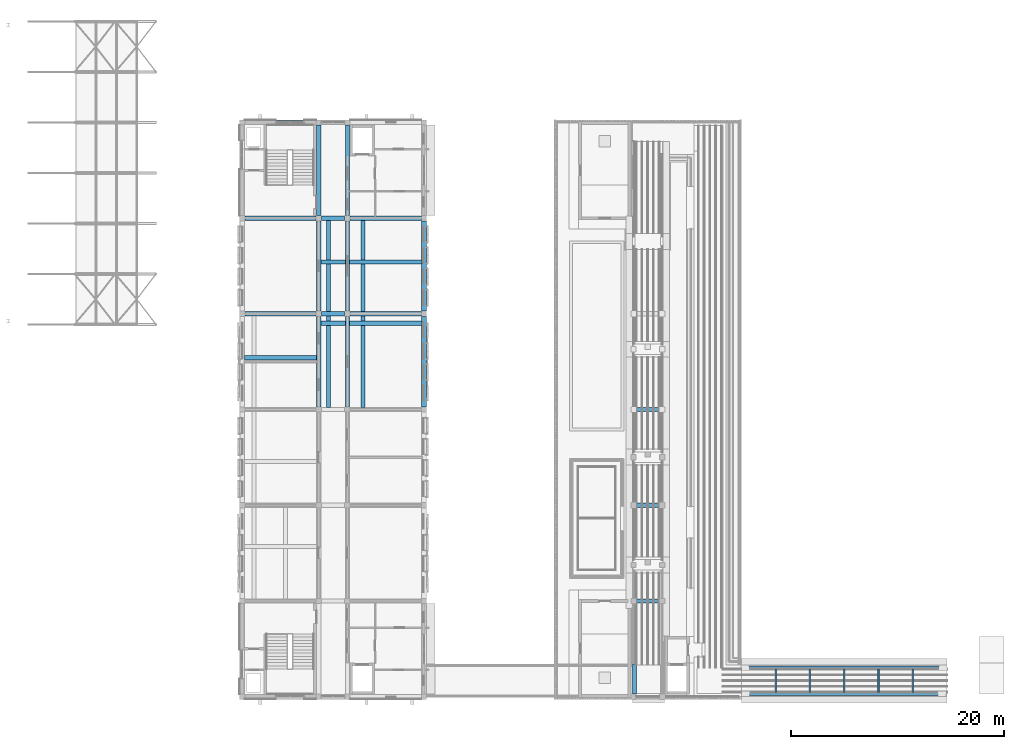
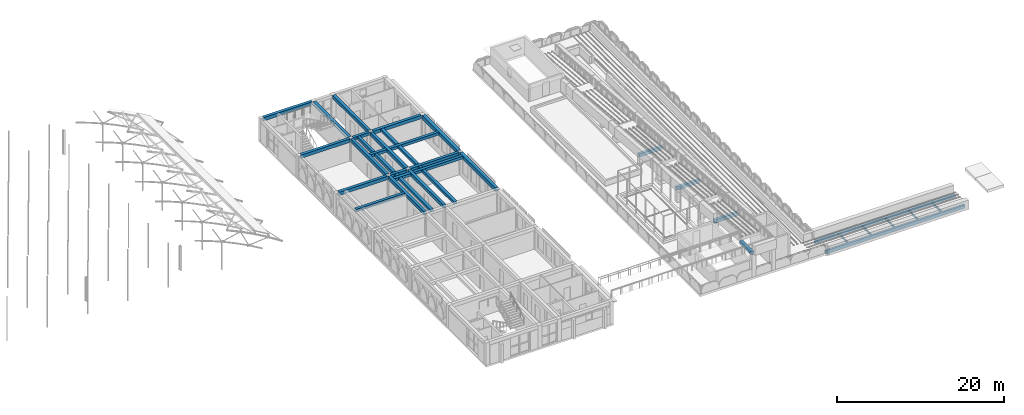
# One storey, part 20 of 50: 35 beams.
"""IFC4 building model written with IfcOpenShell, lengths in metres."""

from ifc_helpers import new_model, si_unit, direction, frame, origin, origin_2d, place, context, subcontext, project, spatial, polyline, rectangle, hollow_rectangle, outline, extrude, material, material_profile, profile_set, type_object, element, save


model = new_model("IFC4")

# Units and contexts
model_context = context("Model", 3, precision=1e-05, world=origin(), true_north=direction((0.0, 1.0)))
body_context = subcontext(model_context, "Body", "Model", "MODEL_VIEW")
ifc_project = project(units=[si_unit("LENGTHUNIT", "METRE"), si_unit("AREAUNIT", "SQUARE_METRE"), si_unit("VOLUMEUNIT", "CUBIC_METRE"), si_unit("PLANEANGLEUNIT", "RADIAN"), si_unit("MASSUNIT", "GRAM", prefix="KILO")], contexts=[model_context])

# Site, building, storey
site_placement = place(None, origin())
site = spatial("IfcSite", under=ifc_project, at=site_placement, CompositionType="ELEMENT")
building_placement = place(site_placement, origin())
building = spatial("IfcBuilding", under=site, at=building_placement, Name="Elbe Cascade School", CompositionType="ELEMENT")
storey_placement = place(building_placement, frame((0.0, 0.0, 15.300048828125)))
storey = spatial("IfcBuildingStorey", under=building, at=storey_placement, Name="L04", CompositionType="ELEMENT", Elevation=15.300048828125)

# Beams
ifc_material_1 = material(Name="Concrete C30/37", Category="concrete")
ifc_material_profile_1 = material_profile(ifc_material_1, rectangle(XDim=0.39990234375, YDim=0.39990234375, at=origin_2d()), Name="RC 400x400")
ifc_profile_set_1 = profile_set([ifc_material_profile_1], Name="Concrete C30/37")
beam_type_1 = type_object("IfcBeamType", Name="RC 400x400 beam", PredefinedType="BEAM", material=ifc_profile_set_1)
for number, where, z_axis, x_axis, name in (
    (1, (76.449951171875, 42.0, 3.099853515625), (1.0, 0.0, 0.0), (0.0, 1.0, 0.0), "RC 400x400 beam B5"),
    (2, (76.449951171875, 51.0, 3.099853515625), (1.0, 0.0, 0.0), (0.0, 1.0, 0.0), "RC 400x400 beam B5"),
):
    element("IfcBeam", number, at=place(storey_placement, frame(where, z_axis=z_axis, x_axis=x_axis)), inside=storey, type_object=beam_type_1, Name=name, PredefinedType="BEAM", context=body_context, shape_type="SweptSolid", body=[
        extrude(rectangle(XDim=0.39990234375, YDim=0.39990234375, at=origin_2d()), origin(), (0.0, 0.0, 1.0), 2.199951171875),
    ])
beam_1_placement = place(storey_placement, frame((69.199951171875, 37.875, 3.099853515625), z_axis=(1.0, 0.0, 0.0), x_axis=(0.0, 1.0, 0.0)))
element("IfcBeam", 3, at=beam_1_placement, inside=storey, type_object=beam_type_1, Name="RC 400x400 beam B5", PredefinedType="BEAM", context=body_context, shape_type="SweptSolid", body=[
    extrude(rectangle(XDim=0.39990234375, YDim=0.39990234375, at=origin_2d()), origin(), (0.0, 0.0, 1.0), 6.800048828125),
])
for number, where, z_axis, x_axis, name in (
    (4, (77.125, 33.199951171875, 3.099853515625), (0.0, 1.0, 0.0), (-1.0, 0.0, 0.0), "RC 400x400 beam B5"),
    (5, (77.125, 42.199951171875, 3.099853515625), (0.0, 1.0, 0.0), (-1.0, 0.0, 0.0), "RC 400x400 beam B5"),
    (6, (80.375, 33.199951171875, 3.099853515625), (0.0, 1.0, 0.0), (-1.0, 0.0, 0.0), "RC 400x400 beam B5"),
    (7, (80.375, 42.199951171875, 3.099853515625), (0.0, 1.0, 0.0), (-1.0, 0.0, 0.0), "RC 400x400 beam B5"),
):
    element("IfcBeam", number, at=place(storey_placement, frame(where, z_axis=z_axis, x_axis=x_axis)), inside=storey, type_object=beam_type_1, Name=name, PredefinedType="BEAM", context=body_context, shape_type="SweptSolid", body=[
        extrude(rectangle(XDim=0.39990234375, YDim=0.39990234375, at=origin_2d()), origin(), (0.0, 0.0, 1.0), 8.60009765625),
    ])
beam_2_placement = place(storey_placement, frame((76.39990234375, 41.125, 3.099853515625), z_axis=(1.0, 0.0, 0.0), x_axis=(0.0, 1.0, 0.0)))
element("IfcBeam", 8, at=beam_2_placement, inside=storey, type_object=beam_type_1, Name="RC 400x400 beam B5", PredefinedType="BEAM", context=body_context, shape_type="SweptSolid", body=[
    extrude(rectangle(XDim=0.39990234375, YDim=0.39990234375, at=origin_2d()), origin(), (0.0, 0.0, 1.0), 2.300048828125),
])
beam_3_placement = place(storey_placement, frame((79.10009765625, 41.125, 3.099853515625), z_axis=(1.0, 0.0, 0.0), x_axis=(0.0, 1.0, 0.0)))
element("IfcBeam", 9, at=beam_3_placement, inside=storey, type_object=beam_type_1, Name="RC 400x400 beam B5", PredefinedType="BEAM", context=body_context, shape_type="SweptSolid", body=[
    extrude(rectangle(XDim=0.39990234375, YDim=0.39990234375, at=origin_2d()), origin(), (0.0, 0.0, 1.0), 6.7998046875),
])
beam_4_placement = place(storey_placement, frame((76.39990234375, 46.875, 3.099853515625), z_axis=(1.0, 0.0, 0.0), x_axis=(0.0, 1.0, 0.0)))
element("IfcBeam", 10, at=beam_4_placement, inside=storey, type_object=beam_type_1, Name="RC 400x400 beam B5", PredefinedType="BEAM", context=body_context, shape_type="SweptSolid", body=[
    extrude(rectangle(XDim=0.39990234375, YDim=0.39990234375, at=origin_2d()), origin(), (0.0, 0.0, 1.0), 2.300048828125),
])
beam_5_placement = place(storey_placement, frame((79.10009765625, 46.875, 3.099853515625), z_axis=(1.0, 0.0, 0.0), x_axis=(0.0, 1.0, 0.0)))
element("IfcBeam", 11, at=beam_5_placement, inside=storey, type_object=beam_type_1, Name="RC 400x400 beam B5", PredefinedType="BEAM", context=body_context, shape_type="SweptSolid", body=[
    extrude(rectangle(XDim=0.39990234375, YDim=0.39990234375, at=origin_2d()), origin(), (0.0, 0.0, 1.0), 6.7998046875),
])
ifc_material_2 = material(Name="Concrete C30/37", Category="concrete")
ifc_material_profile_2 = material_profile(ifc_material_2, rectangle(XDim=0.39990234375, YDim=0.449951171875, at=origin_2d()), Name="RC 400x450")
ifc_profile_set_2 = profile_set([ifc_material_profile_2], Name="Concrete C30/37")
beam_type_2 = type_object("IfcBeamType", Name="RC 400x450 beam", PredefinedType="BEAM", material=ifc_profile_set_2)
beam_6_placement = place(storey_placement, frame((105.89990234375, 6.25, 3.135009765625), z_axis=(0.0, 1.0, 0.0), x_axis=(-1.0, 0.0, 0.0)))
element("IfcBeam", 12, at=beam_6_placement, inside=storey, type_object=beam_type_2, Name="RC 400x450 beam B2", PredefinedType="BEAM", context=body_context, shape_type="SweptSolid", body=[
    extrude(rectangle(XDim=0.39990234375, YDim=0.449951171875, at=origin_2d()), origin(), (0.0, 0.0, 1.0), 2.800048828125),
])
ifc_material_3 = material(Name="Concrete C30/37", Category="concrete")
ifc_material_profile_3 = material_profile(ifc_material_3, outline(polyline([(-0.199951171875, 0.0), (0.199951171875, 0.0), (0.199951171875, 0.433349609375), (-0.199951171875, 0.466552734375), (-0.199951171875, 0.0)])), Name="RC cross-beam 400x450 sloped top")
ifc_profile_set_3 = profile_set([ifc_material_profile_3], Name="Concrete C30/37")
beam_type_3 = type_object("IfcBeamType", Name="RC 400x450 sloped cross-beam", PredefinedType="BEAM", material=ifc_profile_set_3)
for number, where, z_axis, x_axis, name in (
    (13, (105.550048828125, 15.0, 2.409912109375), (1.0, 0.0, 0.0), (0.0, 1.0, 0.0), "RC 400x450 sloped cross-beam B25"),
    (14, (105.550048828125, 24.0, 1.784912109375), (1.0, 0.0, 0.0), (0.0, 1.0, 0.0), "RC 400x450 sloped cross-beam B25"),
    (15, (105.550048828125, 33.0, 1.159912109375), (1.0, 0.0, 0.0), (0.0, 1.0, 0.0), "RC 400x450 sloped cross-beam B25"),
):
    element("IfcBeam", number, at=place(storey_placement, frame(where, z_axis=z_axis, x_axis=x_axis)), inside=storey, type_object=beam_type_3, Name=name, PredefinedType="BEAM", context=body_context, shape_type="SweptSolid", body=[
        extrude(outline(polyline([(-0.199951171875, 0.0), (0.199951171875, 0.0), (0.199951171875, 0.433349609375), (-0.199951171875, 0.466552734375), (-0.199951171875, 0.0)])), origin(), (0.0, 0.0, 1.0), 3.199951171875),
    ])
ifc_material_4 = material(Name="Concrete C30/37", Category="concrete")
ifc_material_profile_4 = material_profile(ifc_material_4, rectangle(XDim=0.39990234375, YDim=0.5, at=origin_2d()), Name="RC 400x500")
ifc_profile_set_4 = profile_set([ifc_material_profile_4], Name="Concrete C30/37")
beam_type_4 = type_object("IfcBeamType", Name="RC 400x500 beam", PredefinedType="BEAM", material=ifc_profile_set_4)
for number, where, z_axis, x_axis, name in (
    (16, (76.199951171875, 33.25, 3.050048828125), (0.0, 1.0, 0.0), (-1.0, 0.0, 0.0), "RC 400x500 beam B1"),
    (17, (76.199951171875, 42.25, 3.050048828125), (0.0, 1.0, 0.0), (-1.0, 0.0, 0.0), "RC 400x500 beam B1"),
    (18, (76.199951171875, 51.25, 3.050048828125), (0.0, 1.0, 0.0), (-1.0, 0.0, 0.0), "RC 400x500 beam B1"),
    (19, (78.89990234375, 33.25, 3.050048828125), (0.0, 1.0, 0.0), (-1.0, 0.0, 0.0), "RC 400x500 beam B1"),
    (20, (78.89990234375, 42.25, 3.050048828125), (0.0, 1.0, 0.0), (-1.0, 0.0, 0.0), "RC 400x500 beam B1"),
    (21, (78.89990234375, 51.25, 3.050048828125), (0.0, 1.0, 0.0), (-1.0, 0.0, 0.0), "RC 400x500 beam B1"),
):
    element("IfcBeam", number, at=place(storey_placement, frame(where, z_axis=z_axis, x_axis=x_axis)), inside=storey, type_object=beam_type_4, Name=name, PredefinedType="BEAM", context=body_context, shape_type="SweptSolid", body=[
        extrude(rectangle(XDim=0.39990234375, YDim=0.5, at=origin_2d()), origin(), (0.0, 0.0, 1.0), 8.5),
    ])
beam_7_placement = place(storey_placement, frame((69.25, 42.0, 3.050048828125), z_axis=(1.0, 0.0, 0.0), x_axis=(0.0, 1.0, 0.0)))
element("IfcBeam", 22, at=beam_7_placement, inside=storey, type_object=beam_type_4, Name="RC 400x500 beam B1", PredefinedType="BEAM", context=body_context, shape_type="SweptSolid", body=[
    extrude(rectangle(XDim=0.39990234375, YDim=0.5, at=origin_2d()), origin(), (0.0, 0.0, 1.0), 6.699951171875),
])
beam_8_placement = place(storey_placement, frame((79.14990234375, 42.0, 3.050048828125), z_axis=(1.0, 0.0, 0.0), x_axis=(0.0, 1.0, 0.0)))
element("IfcBeam", 23, at=beam_8_placement, inside=storey, type_object=beam_type_4, Name="RC 400x500 beam B1", PredefinedType="BEAM", context=body_context, shape_type="SweptSolid", body=[
    extrude(rectangle(XDim=0.39990234375, YDim=0.5, at=origin_2d()), origin(), (0.0, 0.0, 1.0), 6.7001953125),
])
beam_9_placement = place(storey_placement, frame((69.25, 51.0, 3.050048828125), z_axis=(1.0, 0.0, 0.0), x_axis=(0.0, 1.0, 0.0)))
element("IfcBeam", 24, at=beam_9_placement, inside=storey, type_object=beam_type_4, Name="RC 400x500 beam B1", PredefinedType="BEAM", context=body_context, shape_type="SweptSolid", body=[
    extrude(rectangle(XDim=0.39990234375, YDim=0.5, at=origin_2d()), origin(), (0.0, 0.0, 1.0), 6.699951171875),
])
beam_10_placement = place(storey_placement, frame((79.14990234375, 51.0, 3.050048828125), z_axis=(1.0, 0.0, 0.0), x_axis=(0.0, 1.0, 0.0)))
element("IfcBeam", 25, at=beam_10_placement, inside=storey, type_object=beam_type_4, Name="RC 400x500 beam B1", PredefinedType="BEAM", context=body_context, shape_type="SweptSolid", body=[
    extrude(rectangle(XDim=0.39990234375, YDim=0.5, at=origin_2d()), origin(), (0.0, 0.0, 1.0), 6.7001953125),
])
beam_11_placement = place(storey_placement, frame((69.25, 60.0, 3.050048828125), z_axis=(1.0, 0.0, 0.0), x_axis=(0.0, 1.0, 0.0)))
element("IfcBeam", 26, at=beam_11_placement, inside=storey, type_object=beam_type_4, Name="RC 400x500 beam B1", PredefinedType="BEAM", context=body_context, shape_type="SweptSolid", body=[
    extrude(rectangle(XDim=0.39990234375, YDim=0.5, at=origin_2d()), origin(), (0.0, 0.0, 1.0), 6.699951171875),
])
ifc_material_5 = material(Name="Concrete C30/37", Category="concrete")
ifc_material_profile_5 = material_profile(ifc_material_5, rectangle(XDim=0.449951171875, YDim=0.550048828125, at=origin_2d()), Name="RC 450x550")
ifc_profile_set_5 = profile_set([ifc_material_profile_5], Name="Concrete C30/37")
beam_type_5 = type_object("IfcBeamType", Name="RC 450x550 beam", PredefinedType="BEAM", material=ifc_profile_set_5)
for number, where, z_axis, x_axis, name in (
    (27, (86.10009765625, 33.25, 3.02490234375), (0.0, 1.0, 0.0), (-1.0, 0.0, 0.0), "RC 450x550 beam B12"),
    (28, (86.10009765625, 42.25, 3.02490234375), (0.0, 1.0, 0.0), (-1.0, 0.0, 0.0), "RC 450x550 beam B12"),
):
    element("IfcBeam", number, at=place(storey_placement, frame(where, z_axis=z_axis, x_axis=x_axis)), inside=storey, type_object=beam_type_5, Name=name, PredefinedType="BEAM", context=body_context, shape_type="SweptSolid", body=[
        extrude(rectangle(XDim=0.449951171875, YDim=0.550048828125, at=origin_2d()), origin(), (0.0, 0.0, 1.0), 8.5),
    ])
ifc_material_6 = material(Name="Steel S355J2H", Category="steel")
ifc_material_profile_6 = material_profile(ifc_material_6, hollow_rectangle(XDim=0.14990234375, YDim=0.25, WallThickness=0.008056640625, InnerFilletRadius=0.008056640625, OuterFilletRadius=0.011962890625, at=origin_2d()), Name="RHS 250x150x8")
ifc_profile_set_6 = profile_set([ifc_material_profile_6], Name="Steel S355J2H")
beam_type_6 = type_object("IfcBeamType", Name="RHS 250x150x8 cross-beam", PredefinedType="BEAM", material=ifc_profile_set_6)
for number, where, z_axis, x_axis, name in (
    (29, (119.175048828125, 6.39990234375, -0.0849609375), (0.0, 1.0, 0.0), (-1.0, 0.0, 0.0), "Bridge B-C cross-beam 1"),
    (30, (122.39990234375, 6.39990234375, -0.0849609375), (0.0, 1.0, 0.0), (-1.0, 0.0, 0.0), "Bridge B-C cross-beam 2"),
    (31, (125.625, 6.39990234375, -0.0849609375), (0.0, 1.0, 0.0), (-1.0, 0.0, 0.0), "Bridge B-C cross-beam 3"),
    (32, (128.85009765625, 6.39990234375, -0.0849609375), (0.0, 1.0, 0.0), (-1.0, 0.0, 0.0), "Bridge B-C cross-beam 4"),
    (33, (132.074951171875, 6.39990234375, -0.0849609375), (0.0, 1.0, 0.0), (-1.0, 0.0, 0.0), "Bridge B-C cross-beam 5"),
):
    element("IfcBeam", number, at=place(storey_placement, frame(where, z_axis=z_axis, x_axis=x_axis)), inside=storey, type_object=beam_type_6, Name=name, PredefinedType="BEAM", context=body_context, shape_type="SweptSolid", body=[
        extrude(hollow_rectangle(XDim=0.14990234375, YDim=0.25, WallThickness=0.008056640625, InnerFilletRadius=0.008056640625, OuterFilletRadius=0.011962890625, at=origin_2d()), origin(), (0.0, 0.0, 1.0), 2.2001953125),
    ])
ifc_material_7 = material(Name="Steel S355J2H", Category="steel")
ifc_material_profile_7 = material_profile(ifc_material_7, hollow_rectangle(XDim=0.300048828125, YDim=0.5, WallThickness=0.01611328125, InnerFilletRadius=0.01611328125, OuterFilletRadius=0.02392578125, at=origin_2d()), Name="RHS 500x300x16")
ifc_profile_set_7 = profile_set([ifc_material_profile_7], Name="Steel S355J2H")
beam_type_7 = type_object("IfcBeamType", Name="RHS 500x300x16 girder", PredefinedType="BEAM", material=ifc_profile_set_7)
beam_12_placement = place(storey_placement, frame((115.949951171875, 6.25, -0.2099609375), z_axis=(1.0, 0.0, 0.0), x_axis=(0.0, 1.0, 0.0)))
element("IfcBeam", 34, at=beam_12_placement, inside=storey, type_object=beam_type_7, Name="Bridge B-C girder 1", PredefinedType="BEAM", context=body_context, shape_type="SweptSolid", body=[
    extrude(hollow_rectangle(XDim=0.300048828125, YDim=0.5, WallThickness=0.01611328125, InnerFilletRadius=0.01611328125, OuterFilletRadius=0.02392578125, at=origin_2d()), origin(), (0.0, 0.0, 1.0), 19.25),
])
beam_13_placement = place(storey_placement, frame((115.89990234375, 8.75, -0.2099609375), z_axis=(1.0, 0.0, 0.0), x_axis=(0.0, 1.0, 0.0)))
element("IfcBeam", 35, at=beam_13_placement, inside=storey, type_object=beam_type_7, Name="Bridge B-C girder 2", PredefinedType="BEAM", context=body_context, shape_type="SweptSolid", body=[
    extrude(hollow_rectangle(XDim=0.300048828125, YDim=0.5, WallThickness=0.01611328125, InnerFilletRadius=0.01611328125, OuterFilletRadius=0.02392578125, at=origin_2d()), origin(), (0.0, 0.0, 1.0), 19.400146484375),
])

save(model, "model.ifc")
